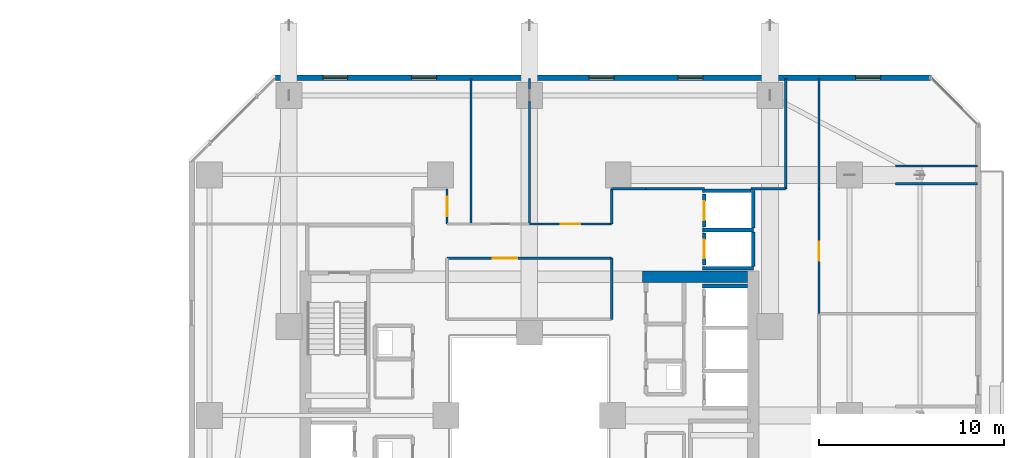
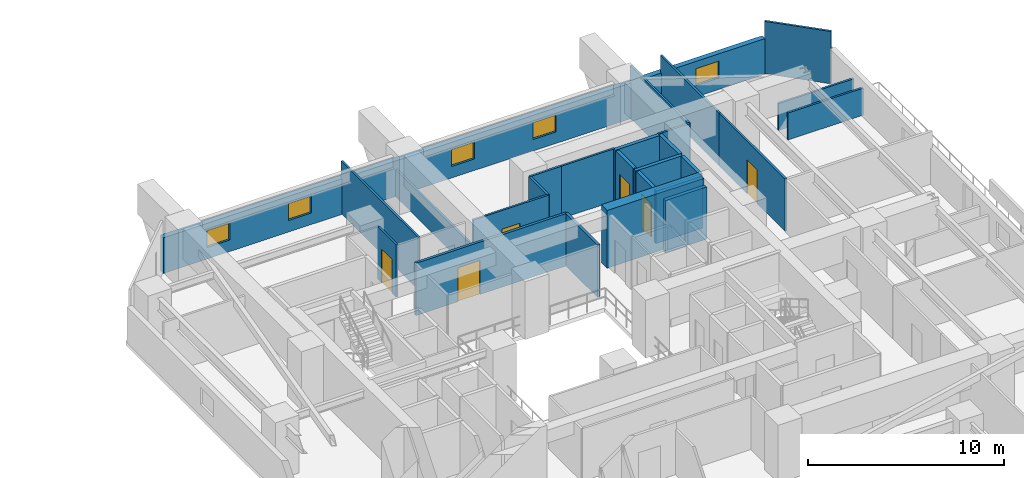
# One storey, part 28 of 36: 26 walls, 6 doors, 5 windows, 11 openings.
"""IFC4 building model written with IfcOpenShell, lengths in metres."""

from ifc_helpers import new_model, si_unit, direction, frame, frame_2d, origin, place, context, subcontext, project, spatial, rectangle, extrude, material, layer, layer_set, type_object, element, fill, save


model = new_model("IFC4")

# Units and contexts
model_context = context("Model", 3, precision=1e-05, world=origin(), true_north=direction((0.0, 1.0)))
body_context = subcontext(model_context, "Body", "Model", "MODEL_VIEW")
ifc_project = project(units=[si_unit("LENGTHUNIT", "METRE"), si_unit("AREAUNIT", "SQUARE_METRE"), si_unit("VOLUMEUNIT", "CUBIC_METRE"), si_unit("PLANEANGLEUNIT", "RADIAN"), si_unit("MASSUNIT", "GRAM", prefix="KILO")], contexts=[model_context])

# Site, building, storey
site_placement = place(None, origin())
site = spatial("IfcSite", under=ifc_project, at=site_placement, CompositionType="ELEMENT")
building_placement = place(site_placement, origin())
building = spatial("IfcBuilding", under=site, at=building_placement, Name="Thornwick Lancets Civic Towers", CompositionType="ELEMENT")
storey_placement = place(building_placement, frame((0.0, 0.0, 45.89990234375)))
storey = spatial("IfcBuildingStorey", under=building, at=storey_placement, Name="L11", CompositionType="ELEMENT", Elevation=45.89990234375)

# Wall, opening, door
ifc_material_1 = material(Name="Concrete blockwork C40/50", Category="masonry")
ifc_layer_1 = layer(ifc_material_1, 0.199951171875, Name="Concrete blockwork C40/50")
ifc_layer_set_1 = layer_set([ifc_layer_1], Name="Concrete blockwork C40/50")
wall_type_1 = type_object("IfcWallType", Name="WALL_COMP_200", PredefinedType="STANDARD", material=ifc_layer_set_1)
wall_1_placement = place(storey_placement, frame((97.949951171875, 36.8701171875, 0.0), z_axis=(0.0, 0.0, 1.0), x_axis=(0.0, -1.0, 0.0)))
wall_1 = element("IfcWall", 1, at=wall_1_placement, inside=storey, type_object=wall_type_1, Name="L11 Hoistway Front Wall PL-BL2", PredefinedType="STANDARD", context=body_context, shape_type="SweptSolid", body=[
    extrude(rectangle(XDim=1.740234375, YDim=0.199951171875, at=frame_2d((0.8701171875, 0.0))), origin(), (0.0, 0.0, 1.0), 3.260009765625),
])
opening_1_placement = place(wall_1_placement, frame((0.360107421875, 0.0, 0.0)))
opening_1 = element("IfcOpeningElement", 2, at=opening_1_placement, cuts=wall_1, Name="Opening LD-PL-BL2", PredefinedType="OPENING", context=body_context, shape_type="SweptSolid", body=[
    extrude(rectangle(XDim=1.02001953125, YDim=2.06005859375, at=frame_2d((0.510009765625, 1.030029296875))), frame((0.0, 0.10986328125, 0.0), z_axis=(0.0, -1.0, 0.0), x_axis=(1.0, 0.0, 0.0)), (0.0, 0.0, 1.0), 0.219970703125),
])
ifc_material_2 = material(Name="Brushed bronze stainless steel", Category="steel")
door_type_1 = type_object("IfcDoorType", Name="DOOR_LIFT_SLIDE", OperationType="SLIDING_TO_LEFT", PredefinedType="DOOR", material=ifc_material_2)
door_1_placement = place(opening_1_placement, origin())
door_1 = element("IfcDoor", 3, at=door_1_placement, inside=storey, type_object=door_type_1, Name="L11 Sliding Lift Landing Door LD-PL-BL2", OperationType="SLIDING_TO_LEFT", OverallHeight=2.06005859375, OverallWidth=1.02001953125, PredefinedType="DOOR", context=body_context, shape_type="SweptSolid", body=[
    extrude(rectangle(XDim=1.02001953125, YDim=2.06005859375, at=frame_2d((0.510009765625, 1.030029296875))), frame((0.0, 0.02490234375, 0.0), z_axis=(0.0, -1.0, 0.0), x_axis=(1.0, 0.0, 0.0)), (0.0, 0.0, 1.0), 0.050048828125),
])
fill(opening_1, door_1)

wall_2_placement = place(storey_placement, frame((97.949951171875, 38.969970703125, 0.0), z_axis=(0.0, 0.0, 1.0), x_axis=(0.0, -1.0, 0.0)))
wall_2 = element("IfcWall", 4, at=wall_2_placement, inside=storey, type_object=wall_type_1, Name="L11 Hoistway Front Wall PL-BL3", PredefinedType="STANDARD", context=body_context, shape_type="SweptSolid", body=[
    extrude(rectangle(XDim=1.7900390625, YDim=0.199951171875, at=frame_2d((0.89501953125, 0.0))), origin(), (0.0, 0.0, 1.0), 3.260009765625),
])
opening_2_placement = place(wall_2_placement, frame((0.385009765625, 0.0, 0.0)))
opening_2 = element("IfcOpeningElement", 5, at=opening_2_placement, cuts=wall_2, Name="Opening LD-PL-BL3", PredefinedType="OPENING", context=body_context, shape_type="SweptSolid", body=[
    extrude(rectangle(XDim=1.02001953125, YDim=2.06005859375, at=frame_2d((0.510009765625, 1.030029296875))), frame((0.0, 0.10986328125, 0.0), z_axis=(0.0, -1.0, 0.0), x_axis=(1.0, 0.0, 0.0)), (0.0, 0.0, 1.0), 0.219970703125),
])
door_2_placement = place(opening_2_placement, origin())
door_2 = element("IfcDoor", 6, at=door_2_placement, inside=storey, type_object=door_type_1, Name="L11 Sliding Lift Landing Door LD-PL-BL3", OperationType="SLIDING_TO_LEFT", OverallHeight=2.06005859375, OverallWidth=1.02001953125, PredefinedType="DOOR", context=body_context, shape_type="SweptSolid", body=[
    extrude(rectangle(XDim=1.02001953125, YDim=2.06005859375, at=frame_2d((0.510009765625, 1.030029296875))), frame((0.0, 0.02490234375, 0.0), z_axis=(0.0, -1.0, 0.0), x_axis=(1.0, 0.0, 0.0)), (0.0, 0.0, 1.0), 0.050048828125),
])
fill(opening_2, door_2)

# Walls
wall_3_placement = place(storey_placement, frame((97.85205078125, 34.0, 0.0), z_axis=(0.0, 0.0, 1.0), x_axis=(1.0, 0.0, 0.0)))
element("IfcWall", 7, at=wall_3_placement, inside=storey, type_object=wall_type_1, Name="L11 Hoistway Shaft Wall PL-BL1 N", PredefinedType="STANDARD", context=body_context, shape_type="SweptSolid", body=[
    extrude(rectangle(XDim=2.43603515625, YDim=0.199951171875, at=frame_2d((1.218017578125, 0.0))), origin(), (0.0, 0.0, 1.0), 3.260009765625),
])
for number, where, z_axis, x_axis, name in (
    (8, (97.85205078125, 37.02490234375, 0.0), (0.0, 0.0, 1.0), (1.0, 0.0, 0.0), "L11 Hoistway Shaft Wall PL-BL2 N"),
    (9, (97.85205078125, 34.949951171875, 0.0), (0.0, 0.0, 1.0), (1.0, 0.0, 0.0), "L11 Hoistway Shaft Wall PL-BL2 S"),
):
    element("IfcWall", number, at=place(storey_placement, frame(where, z_axis=z_axis, x_axis=x_axis)), inside=storey, type_object=wall_type_1, Name=name, PredefinedType="STANDARD", context=body_context, shape_type="SweptSolid", body=[
        extrude(rectangle(XDim=2.745849609375, YDim=0.199951171875, at=frame_2d((1.373046875, 0.0))), origin(), (0.0, 0.0, 1.0), 3.260009765625),
    ])
wall_4_placement = place(storey_placement, frame((100.60009765625, 35.06201171875, 0.0), z_axis=(0.0, 0.0, 1.0), x_axis=(0.0, 1.0, 0.0)))
element("IfcWall", 10, at=wall_4_placement, inside=storey, type_object=wall_type_1, Name="L11 Hoistway Shaft Wall PL-BL2 E", PredefinedType="STANDARD", context=body_context, shape_type="SweptSolid", body=[
    extrude(rectangle(XDim=1.85595703125, YDim=0.199951171875, at=frame_2d((0.927978515625, 0.0))), origin(), (0.0, 0.0, 1.0), 3.260009765625),
])
wall_5_placement = place(storey_placement, frame((100.60009765625, 37.132080078125, 0.0), z_axis=(0.0, 0.0, 1.0), x_axis=(0.0, 1.0, 0.0)))
element("IfcWall", 11, at=wall_5_placement, inside=storey, type_object=wall_type_1, Name="L11 Hoistway Shaft Wall PL-BL2 E", PredefinedType="STANDARD", context=body_context, shape_type="SweptSolid", body=[
    extrude(rectangle(XDim=2.015869140625, YDim=0.199951171875, at=frame_2d((1.0078125, 0.0))), origin(), (0.0, 0.0, 1.0), 3.260009765625),
])
wall_6_placement = place(storey_placement, frame((97.85205078125, 39.14990234375, 0.0), z_axis=(0.0, 0.0, 1.0), x_axis=(1.0, 0.0, 0.0)))
element("IfcWall", 12, at=wall_6_placement, inside=storey, type_object=wall_type_1, Name="L11 Hoistway Shaft Wall PL-BL3 N", PredefinedType="STANDARD", context=body_context, shape_type="SweptSolid", body=[
    extrude(rectangle(XDim=2.635986328125, YDim=0.199951171875, at=frame_2d((1.31787109375, 0.0))), origin(), (0.0, 0.0, 1.0), 3.260009765625),
])
ifc_material_3 = material(Name="Concrete C60/75", Category="concrete")
ifc_layer_2 = layer(ifc_material_3, 0.60009765625, Name="Concrete C60/75")
ifc_layer_set_2 = layer_set([ifc_layer_2], Name="Concrete C60/75")
wall_type_2 = type_object("IfcWallType", Name="WALL_CORE_600", PredefinedType="SHEAR", material=ifc_layer_set_2)
wall_7_placement = place(storey_placement, frame((94.60009765625, 34.5, 0.0), z_axis=(0.0, 0.0, 1.0), x_axis=(1.0, 0.0, 0.0)))
element("IfcWall", 13, at=wall_7_placement, inside=storey, type_object=wall_type_2, Name="L11 Split Core B1 Shear Wall N", PredefinedType="SHEAR", context=body_context, shape_type="SweptSolid", body=[
    extrude(rectangle(XDim=5.699951171875, YDim=0.60009765625, at=frame_2d((2.85009765625, 0.0))), origin(), (0.0, 0.0, 1.0), 3.60009765625),
])

# Wall, openings, windows
ifc_material_4 = material(Name="Insulated russet terracotta rainscreen on concrete C40/50", Category="masonry")
ifc_layer_3 = layer(ifc_material_4, 0.300048828125, Name="Insulated russet terracotta rainscreen on concrete C40/50")
ifc_layer_set_3 = layer_set([ifc_layer_3], Name="Insulated russet terracotta rainscreen on concrete C40/50")
wall_type_3 = type_object("IfcWallType", Name="WALL_EXT_RUSSET_300", PredefinedType="STANDARD", material=ifc_layer_set_3)
wall_8_placement = place(storey_placement, frame((110.18115234375, 45.264892578125, 0.0), z_axis=(0.0, 0.0, 1.0), x_axis=(-0.999999983929, -0.00017928314, 0.0)))
wall_8 = element("IfcWall", 14, at=wall_8_placement, inside=storey, type_object=wall_type_3, Name="L11 Tower B Terracotta Facade Wall E4", PredefinedType="STANDARD", context=body_context, shape_type="SweptSolid", body=[
    extrude(rectangle(XDim=35.40576171875, YDim=0.300048828125, at=frame_2d((17.702880859375, 0.0))), origin(), (0.0, 0.0, 1.0), 2.22021484375),
])
opening_3_placement = place(wall_8_placement, frame((2.699951171875, 0.0, 0.719970703125)))
opening_3 = element("IfcOpeningElement", 15, at=opening_3_placement, cuts=wall_8, Name="Opening WL-03", PredefinedType="OPENING", context=body_context, shape_type="SweptSolid", body=[
    extrude(rectangle(XDim=1.35009765625, YDim=1.050048828125, at=frame_2d((0.675048828125, 0.52490234375))), frame((0.0, 0.16015625, 0.0), z_axis=(0.0, -1.0, 0.0), x_axis=(1.0, 0.0, 0.0)), (0.0, 0.0, 1.0), 0.320068359375),
])
opening_4_placement = place(wall_8_placement, frame((12.300048828125, 0.0, 0.719970703125)))
opening_4 = element("IfcOpeningElement", 16, at=opening_4_placement, cuts=wall_8, Name="Opening WL-03", PredefinedType="OPENING", context=body_context, shape_type="SweptSolid", body=[
    extrude(rectangle(XDim=1.35009765625, YDim=1.050048828125, at=frame_2d((0.675048828125, 0.52490234375))), frame((0.0, 0.16015625, 0.0), z_axis=(0.0, -1.0, 0.0), x_axis=(1.0, 0.0, 0.0)), (0.0, 0.0, 1.0), 0.320068359375),
])
opening_5_placement = place(wall_8_placement, frame((17.10009765625, 0.0, 0.719970703125)))
opening_5 = element("IfcOpeningElement", 17, at=opening_5_placement, cuts=wall_8, Name="Opening WL-03", PredefinedType="OPENING", context=body_context, shape_type="SweptSolid", body=[
    extrude(rectangle(XDim=1.35009765625, YDim=1.050048828125, at=frame_2d((0.675048828125, 0.52490234375))), frame((0.0, 0.16015625, 0.0), z_axis=(0.0, -1.0, 0.0), x_axis=(1.0, 0.0, 0.0)), (0.0, 0.0, 1.0), 0.320068359375),
])
opening_6_placement = place(wall_8_placement, frame((26.699951171875, 0.0, 0.719970703125)))
opening_6 = element("IfcOpeningElement", 18, at=opening_6_placement, cuts=wall_8, Name="Opening WL-03", PredefinedType="OPENING", context=body_context, shape_type="SweptSolid", body=[
    extrude(rectangle(XDim=1.35009765625, YDim=1.050048828125, at=frame_2d((0.675048828125, 0.52490234375))), frame((0.0, 0.16015625, 0.0), z_axis=(0.0, -1.0, 0.0), x_axis=(1.0, 0.0, 0.0)), (0.0, 0.0, 1.0), 0.320068359375),
])
opening_7_placement = place(wall_8_placement, frame((31.5, 0.0, 0.719970703125)))
opening_7 = element("IfcOpeningElement", 19, at=opening_7_placement, cuts=wall_8, Name="Opening WL-03", PredefinedType="OPENING", context=body_context, shape_type="SweptSolid", body=[
    extrude(rectangle(XDim=1.35009765625, YDim=1.050048828125, at=frame_2d((0.675048828125, 0.52490234375))), frame((0.0, 0.16015625, 0.0), z_axis=(0.0, -1.0, 0.0), x_axis=(1.0, 0.0, 0.0)), (0.0, 0.0, 1.0), 0.320068359375),
])
ifc_material_5 = material(Name="Clear low-e double glazing clerestory lancet", Category="glass")
window_type = type_object("IfcWindowType", Name="WIN_LANCET_1350", PartitioningType="SINGLE_PANEL", PredefinedType="WINDOW", material=ifc_material_5)
window_1_placement = place(opening_3_placement, origin())
window_1 = element("IfcWindow", 20, at=window_1_placement, inside=storey, type_object=window_type, Name="L11 Tower B Staggered Lancet Window E4-1", OverallHeight=1.050048828125, OverallWidth=1.35009765625, PartitioningType="SINGLE_PANEL", PredefinedType="WINDOW", context=body_context, shape_type="SweptSolid", body=[
    extrude(rectangle(XDim=1.35009765625, YDim=1.050048828125, at=frame_2d((0.675048828125, 0.52490234375))), frame((0.0, 0.030029296875, 0.0), z_axis=(0.0, -1.0, 0.0), x_axis=(1.0, 0.0, 0.0)), (0.0, 0.0, 1.0), 0.06005859375),
])
fill(opening_3, window_1)
window_2_placement = place(opening_4_placement, origin())
window_2 = element("IfcWindow", 21, at=window_2_placement, inside=storey, type_object=window_type, Name="L11 Tower B Staggered Lancet Window E4-2", OverallHeight=1.050048828125, OverallWidth=1.35009765625, PartitioningType="SINGLE_PANEL", PredefinedType="WINDOW", context=body_context, shape_type="SweptSolid", body=[
    extrude(rectangle(XDim=1.35009765625, YDim=1.050048828125, at=frame_2d((0.675048828125, 0.52490234375))), frame((0.0, 0.030029296875, 0.0), z_axis=(0.0, -1.0, 0.0), x_axis=(1.0, 0.0, 0.0)), (0.0, 0.0, 1.0), 0.06005859375),
])
fill(opening_4, window_2)
window_3_placement = place(opening_5_placement, origin())
window_3 = element("IfcWindow", 22, at=window_3_placement, inside=storey, type_object=window_type, Name="L11 Tower B Staggered Lancet Window E4-3", OverallHeight=1.050048828125, OverallWidth=1.35009765625, PartitioningType="SINGLE_PANEL", PredefinedType="WINDOW", context=body_context, shape_type="SweptSolid", body=[
    extrude(rectangle(XDim=1.35009765625, YDim=1.050048828125, at=frame_2d((0.675048828125, 0.52490234375))), frame((0.0, 0.030029296875, 0.0), z_axis=(0.0, -1.0, 0.0), x_axis=(1.0, 0.0, 0.0)), (0.0, 0.0, 1.0), 0.06005859375),
])
fill(opening_5, window_3)
window_4_placement = place(opening_6_placement, origin())
window_4 = element("IfcWindow", 23, at=window_4_placement, inside=storey, type_object=window_type, Name="L11 Tower B Staggered Lancet Window E4-4", OverallHeight=1.050048828125, OverallWidth=1.35009765625, PartitioningType="SINGLE_PANEL", PredefinedType="WINDOW", context=body_context, shape_type="SweptSolid", body=[
    extrude(rectangle(XDim=1.35009765625, YDim=1.050048828125, at=frame_2d((0.675048828125, 0.52490234375))), frame((0.0, 0.030029296875, 0.0), z_axis=(0.0, -1.0, 0.0), x_axis=(1.0, 0.0, 0.0)), (0.0, 0.0, 1.0), 0.06005859375),
])
fill(opening_6, window_4)
window_5_placement = place(opening_7_placement, origin())
window_5 = element("IfcWindow", 24, at=window_5_placement, inside=storey, type_object=window_type, Name="L11 Tower B Staggered Lancet Window E4-5", OverallHeight=1.050048828125, OverallWidth=1.35009765625, PartitioningType="SINGLE_PANEL", PredefinedType="WINDOW", context=body_context, shape_type="SweptSolid", body=[
    extrude(rectangle(XDim=1.35009765625, YDim=1.050048828125, at=frame_2d((0.675048828125, 0.52490234375))), frame((0.0, 0.030029296875, 0.0), z_axis=(0.0, -1.0, 0.0), x_axis=(1.0, 0.0, 0.0)), (0.0, 0.0, 1.0), 0.06005859375),
])
fill(opening_7, window_5)

# Walls
ifc_material_6 = material(Name="Acoustic gypsum board partition")
ifc_layer_4 = layer(ifc_material_6, 0.1201171875, Name="Acoustic gypsum board partition")
ifc_layer_set_4 = layer_set([ifc_layer_4], Name="Acoustic gypsum board partition")
wall_type_4 = type_object("IfcWallType", Name="WALL_PART_120", PredefinedType="PARTITIONING", material=ifc_layer_set_4)
wall_9_placement = place(storey_placement, frame((97.949951171875, 39.25, 0.0), z_axis=(0.0, 0.0, 1.0), x_axis=(-1.0, 0.0, 0.0)))
element("IfcWall", 25, at=wall_9_placement, inside=storey, type_object=wall_type_4, Name="L11 Partition L11-B-E1 E1", PredefinedType="PARTITIONING", context=body_context, shape_type="SweptSolid", body=[
    extrude(rectangle(XDim=3.14990234375, YDim=0.1201171875, at=frame_2d((1.574951171875, 0.0))), origin(), (0.0, 0.0, 1.0), 3.260009765625),
])
wall_10_placement = place(storey_placement, frame((94.800048828125, 39.25, 0.0), z_axis=(0.0, 0.0, 1.0), x_axis=(-1.0, 0.0, 0.0)))
element("IfcWall", 26, at=wall_10_placement, inside=storey, type_object=wall_type_4, Name="L11 Partition L11-B-E1 E2", PredefinedType="PARTITIONING", context=body_context, shape_type="SweptSolid", body=[
    extrude(rectangle(XDim=1.85009765625, YDim=0.1201171875, at=frame_2d((0.925048828125, 0.0))), origin(), (0.0, 0.0, 1.0), 3.260009765625),
])
wall_11_placement = place(storey_placement, frame((92.949951171875, 39.25, 0.0), z_axis=(0.0, 0.0, 1.0), x_axis=(0.0, -1.0, 0.0)))
element("IfcWall", 27, at=wall_11_placement, inside=storey, type_object=wall_type_4, Name="L11 Partition L11-B-E1 E3", PredefinedType="PARTITIONING", context=body_context, shape_type="SweptSolid", body=[
    extrude(rectangle(XDim=1.89990234375, YDim=0.1201171875, at=frame_2d((0.949951171875, 0.0))), origin(), (0.0, 0.0, 1.0), 3.260009765625),
])

# Wall, opening, door
wall_12_placement = place(storey_placement, frame((92.949951171875, 37.35009765625, 0.0), z_axis=(0.0, 0.0, 1.0), x_axis=(-1.0, 0.0, 0.0)))
wall_12 = element("IfcWall", 28, at=wall_12_placement, inside=storey, type_object=wall_type_4, Name="L11 Partition L11-B-E1 E4", PredefinedType="PARTITIONING", context=body_context, shape_type="SweptSolid", body=[
    extrude(rectangle(XDim=4.449951171875, YDim=0.1201171875, at=frame_2d((2.22509765625, 0.0))), origin(), (0.0, 0.0, 1.0), 3.260009765625),
])
opening_8_placement = place(wall_12_placement, frame((1.699951171875, 0.0, 0.0)))
opening_8 = element("IfcOpeningElement", 29, at=opening_8_placement, cuts=wall_12, Name="Opening D-L11-0575", PredefinedType="OPENING", context=body_context, shape_type="SweptSolid", body=[
    extrude(rectangle(XDim=1.050048828125, YDim=2.10009765625, at=frame_2d((0.52490234375, 1.050048828125))), frame((0.0, 0.070068359375, 0.0), z_axis=(0.0, -1.0, 0.0), x_axis=(1.0, 0.0, 0.0)), (0.0, 0.0, 1.0), 0.14013671875),
])
ifc_material_7 = material(Name="Glazed European oak executive doorset")
door_type_2 = type_object("IfcDoorType", Name="DOOR_OFFICE_1050", OperationType="NOTDEFINED", PredefinedType="DOOR", material=ifc_material_7)
door_3_placement = place(opening_8_placement, origin())
door_3 = element("IfcDoor", 30, at=door_3_placement, inside=storey, type_object=door_type_2, Name="L11 Tower B Secretariat Open Office E1 Door", OperationType="SINGLE_SWING_RIGHT", OverallHeight=2.10009765625, OverallWidth=1.050048828125, PredefinedType="DOOR", context=body_context, shape_type="SweptSolid", body=[
    extrude(rectangle(XDim=1.050048828125, YDim=2.10009765625, at=frame_2d((0.52490234375, 1.050048828125))), frame((0.0, 0.02490234375, 0.0), z_axis=(0.0, -1.0, 0.0), x_axis=(1.0, 0.0, 0.0)), (0.0, 0.0, 1.0), 0.050048828125),
])
fill(opening_8, door_3)

# Walls
wall_13_placement = place(storey_placement, frame((88.5, 37.35009765625, 0.0), z_axis=(0.0, 0.0, 1.0), x_axis=(0.0, 1.0, 0.0)))
element("IfcWall", 31, at=wall_13_placement, inside=storey, type_object=wall_type_4, Name="L11 Partition L11-B-E1 E5", PredefinedType="PARTITIONING", context=body_context, shape_type="SweptSolid", body=[
    extrude(rectangle(XDim=7.869873046875, YDim=0.1201171875, at=frame_2d((3.93505859375, 0.0))), origin(), (0.0, 0.0, 1.0), 1.68505859375),
])
wall_14_placement = place(storey_placement, frame((102.35009765625, 45.219970703125, 0.0), z_axis=(0.0, 0.0, 1.0), x_axis=(0.0, -1.0, 0.0)))
element("IfcWall", 32, at=wall_14_placement, inside=storey, type_object=wall_type_4, Name="L11 Partition L11-B-E1 E7", PredefinedType="PARTITIONING", context=body_context, shape_type="SweptSolid", body=[
    extrude(rectangle(XDim=5.969970703125, YDim=0.1201171875, at=frame_2d((2.98486328125, 0.0))), origin(), (0.0, 0.0, 1.0), 3.260009765625),
])
wall_15_placement = place(storey_placement, frame((102.35009765625, 39.25, 0.0), z_axis=(0.0, 0.0, 1.0), x_axis=(-1.0, 0.0, 0.0)))
element("IfcWall", 33, at=wall_15_placement, inside=storey, type_object=wall_type_4, Name="L11 Partition L11-B-E1 E8", PredefinedType="PARTITIONING", context=body_context, shape_type="SweptSolid", body=[
    extrude(rectangle(XDim=1.862060546875, YDim=0.1201171875, at=frame_2d((0.93115234375, 0.0))), origin(), (0.0, 0.0, 1.0), 3.260009765625),
])
wall_16_placement = place(storey_placement, frame((85.35009765625, 37.35009765625, 0.0), z_axis=(0.0, 0.0, 1.0), x_axis=(0.0, 1.0, 0.0)))
element("IfcWall", 34, at=wall_16_placement, inside=storey, type_object=wall_type_4, Name="L11 Partition L11-B-E2 E1", PredefinedType="PARTITIONING", context=body_context, shape_type="SweptSolid", body=[
    extrude(rectangle(XDim=7.869873046875, YDim=0.1201171875, at=frame_2d((3.93505859375, 0.0))), origin(), (0.0, 0.0, 1.0), 3.260009765625),
])

# Wall, opening, door
wall_17_placement = place(storey_placement, frame((84.050048828125, 37.35009765625, 0.0), z_axis=(0.0, 0.0, 1.0), x_axis=(0.0, 1.0, 0.0)))
wall_17 = element("IfcWall", 35, at=wall_17_placement, inside=storey, type_object=wall_type_4, Name="L11 Partition L11-B-E3 E1", PredefinedType="PARTITIONING", context=body_context, shape_type="SweptSolid", body=[
    extrude(rectangle(XDim=1.89990234375, YDim=0.1201171875, at=frame_2d((0.949951171875, 0.0))), origin(), (0.0, 0.0, 1.0), 3.260009765625),
])
opening_9_placement = place(wall_17_placement, frame((0.425048828125, 0.0, 0.0)))
opening_9 = element("IfcOpeningElement", 36, at=opening_9_placement, cuts=wall_17, Name="Opening D-L11-0577", PredefinedType="OPENING", context=body_context, shape_type="SweptSolid", body=[
    extrude(rectangle(XDim=1.050048828125, YDim=2.10009765625, at=frame_2d((0.52490234375, 1.050048828125))), frame((0.0, 0.070068359375, 0.0), z_axis=(0.0, -1.0, 0.0), x_axis=(1.0, 0.0, 0.0)), (0.0, 0.0, 1.0), 0.14013671875),
])
door_4_placement = place(opening_9_placement, origin())
door_4 = element("IfcDoor", 37, at=door_4_placement, inside=storey, type_object=door_type_2, Name="L11 Tower B Civic Seminar Room Door", OperationType="SINGLE_SWING_RIGHT", OverallHeight=2.10009765625, OverallWidth=1.050048828125, PredefinedType="DOOR", context=body_context, shape_type="SweptSolid", body=[
    extrude(rectangle(XDim=1.050048828125, YDim=2.10009765625, at=frame_2d((0.52490234375, 1.050048828125))), frame((0.0, 0.02490234375, 0.0), z_axis=(0.0, -1.0, 0.0), x_axis=(1.0, 0.0, 0.0)), (0.0, 0.0, 1.0), 0.050048828125),
])
fill(opening_9, door_4)

wall_18_placement = place(storey_placement, frame((104.14990234375, 32.5, 0.0), z_axis=(0.0, 0.0, 1.0), x_axis=(0.0, 1.0, 0.0)))
wall_18 = element("IfcWall", 38, at=wall_18_placement, inside=storey, type_object=wall_type_4, Name="L11 Partition L11-B-S-OFF2 E1", PredefinedType="PARTITIONING", context=body_context, shape_type="SweptSolid", body=[
    extrude(rectangle(XDim=6.75, YDim=0.1201171875, at=frame_2d((3.375, 0.0))), origin(), (0.0, 0.0, 1.0), 3.260009765625),
])
opening_10_placement = place(wall_18_placement, frame((2.85009765625, 0.0, 0.0)))
opening_10 = element("IfcOpeningElement", 39, at=opening_10_placement, cuts=wall_18, Name="Opening D-L11-0582", PredefinedType="OPENING", context=body_context, shape_type="SweptSolid", body=[
    extrude(rectangle(XDim=1.050048828125, YDim=2.10009765625, at=frame_2d((0.52490234375, 1.050048828125))), frame((0.0, 0.070068359375, 0.0), z_axis=(0.0, -1.0, 0.0), x_axis=(1.0, 0.0, 0.0)), (0.0, 0.0, 1.0), 0.14013671875),
])
door_5_placement = place(opening_10_placement, origin())
door_5 = element("IfcDoor", 40, at=door_5_placement, inside=storey, type_object=door_type_2, Name="L11 Tower B South-East Division Office Door", OperationType="SINGLE_SWING_LEFT", OverallHeight=2.10009765625, OverallWidth=1.050048828125, PredefinedType="DOOR", context=body_context, shape_type="SweptSolid", body=[
    extrude(rectangle(XDim=1.050048828125, YDim=2.10009765625, at=frame_2d((0.52490234375, 1.050048828125))), frame((0.0, 0.02490234375, 0.0), z_axis=(0.0, -1.0, 0.0), x_axis=(1.0, 0.0, 0.0)), (0.0, 0.0, 1.0), 0.050048828125),
])
fill(opening_10, door_5)

# Walls
wall_19_placement = place(storey_placement, frame((104.14990234375, 39.25, 0.0), z_axis=(0.0, 0.0, 1.0), x_axis=(0.0, 1.0, 0.0)))
element("IfcWall", 41, at=wall_19_placement, inside=storey, type_object=wall_type_4, Name="L11 Partition L11-B-S-OFF2 E2", PredefinedType="PARTITIONING", context=body_context, shape_type="SweptSolid", body=[
    extrude(rectangle(XDim=5.969970703125, YDim=0.1201171875, at=frame_2d((2.98486328125, 0.0))), origin(), (0.0, 0.0, 1.0), 3.260009765625),
])
wall_20_placement = place(storey_placement, frame((110.225341796875, 45.219970703125, 0.0), z_axis=(0.0, 0.0, 1.0), x_axis=(0.707106781187, -0.707106781187, 0.0)))
element("IfcWall", 42, at=wall_20_placement, inside=storey, type_object=wall_type_4, Name="L11 Partition L11-B-S-OFF2 E4", PredefinedType="PARTITIONING", context=body_context, shape_type="SweptSolid", body=[
    extrude(rectangle(XDim=3.52783203125, YDim=0.1201171875, at=frame_2d((1.763916015625, 0.0))), origin(), (0.0, 0.0, 1.0), 3.260009765625),
])
for number, where, z_axis, x_axis, name in (
    (43, (112.719970703125, 40.47998046875, 0.0), (0.0, 0.0, 1.0), (-1.0, 0.0, 0.0), "L11 Partition L11-B-S-OFF2 E6"),
    (44, (108.281494140625, 39.52001953125, 0.0), (0.0, 0.0, 1.0), (1.0, 0.0, 0.0), "L11 Partition L11-B-S-OFF2 E8"),
):
    element("IfcWall", number, at=place(storey_placement, frame(where, z_axis=z_axis, x_axis=x_axis)), inside=storey, type_object=wall_type_4, Name=name, PredefinedType="PARTITIONING", context=body_context, shape_type="SweptSolid", body=[
        extrude(rectangle(XDim=4.4384765625, YDim=0.1201171875, at=frame_2d((2.21923828125, 0.0))), origin(), (0.0, 0.0, 1.0), 1.68505859375),
    ])

# Wall, opening, door
ifc_material_8 = material(Name="Twin-stud acoustic gypsum board")
ifc_layer_5 = layer(ifc_material_8, 0.14990234375, Name="Twin-stud acoustic gypsum board")
ifc_layer_set_5 = layer_set([ifc_layer_5], Name="Twin-stud acoustic gypsum board")
wall_type_5 = type_object("IfcWallType", Name="WALL_PART_150", PredefinedType="PARTITIONING", material=ifc_layer_set_5)
wall_21_placement = place(storey_placement, frame((84.050048828125, 35.5, 0.0), z_axis=(0.0, 0.0, 1.0), x_axis=(1.0, 0.0, 0.0)))
wall_21 = element("IfcWall", 45, at=wall_21_placement, inside=storey, type_object=wall_type_5, Name="L11 Partition L11-B-ATR-E E2", PredefinedType="PARTITIONING", context=body_context, shape_type="SweptSolid", body=[
    extrude(rectangle(XDim=8.89990234375, YDim=0.14990234375, at=frame_2d((4.449951171875, 0.0))), origin(), (0.0, 0.0, 1.0), 3.260009765625),
])
opening_11_placement = place(wall_21_placement, frame((2.47998046875, 0.0, 0.0)))
opening_11 = element("IfcOpeningElement", 46, at=opening_11_placement, cuts=wall_21, Name="Opening D-L11-0578", PredefinedType="OPENING", context=body_context, shape_type="SweptSolid", body=[
    extrude(rectangle(XDim=1.300048828125, YDim=2.1201171875, at=frame_2d((0.64990234375, 1.06005859375))), frame((0.0, 0.0849609375, 0.0), z_axis=(0.0, -1.0, 0.0), x_axis=(1.0, 0.0, 0.0)), (0.0, 0.0, 1.0), 0.169921875),
])
ifc_material_9 = material(Name="Acoustic oak leaf-and-a-half doorset")
door_type_3 = type_object("IfcDoorType", Name="DOOR_MEET_1300", OperationType="DOUBLE_DOOR_SINGLE_SWING", PredefinedType="DOOR", material=ifc_material_9)
door_6_placement = place(opening_11_placement, origin())
door_6 = element("IfcDoor", 47, at=door_6_placement, inside=storey, type_object=door_type_3, Name="L11 Tower B East Atrium Briefing Suite Door", OperationType="DOUBLE_DOOR_SINGLE_SWING", OverallHeight=2.1201171875, OverallWidth=1.300048828125, PredefinedType="DOOR", context=body_context, shape_type="SweptSolid", body=[
    extrude(rectangle(XDim=1.300048828125, YDim=2.1201171875, at=frame_2d((0.64990234375, 1.06005859375))), frame((0.0, 0.02490234375, 0.0), z_axis=(0.0, -1.0, 0.0), x_axis=(1.0, 0.0, 0.0)), (0.0, 0.0, 1.0), 0.050048828125),
])
fill(opening_11, door_6)

# Wall
wall_22_placement = place(storey_placement, frame((92.949951171875, 35.5, 0.0), z_axis=(0.0, 0.0, 1.0), x_axis=(0.0, -1.0, 0.0)))
element("IfcWall", 48, at=wall_22_placement, inside=storey, type_object=wall_type_5, Name="L11 Partition L11-B-ATR-E E3", PredefinedType="PARTITIONING", context=body_context, shape_type="SweptSolid", body=[
    extrude(rectangle(XDim=3.300048828125, YDim=0.14990234375, at=frame_2d((1.64990234375, 0.0))), origin(), (0.0, 0.0, 1.0), 3.260009765625),
])

save(model, "model.ifc")
